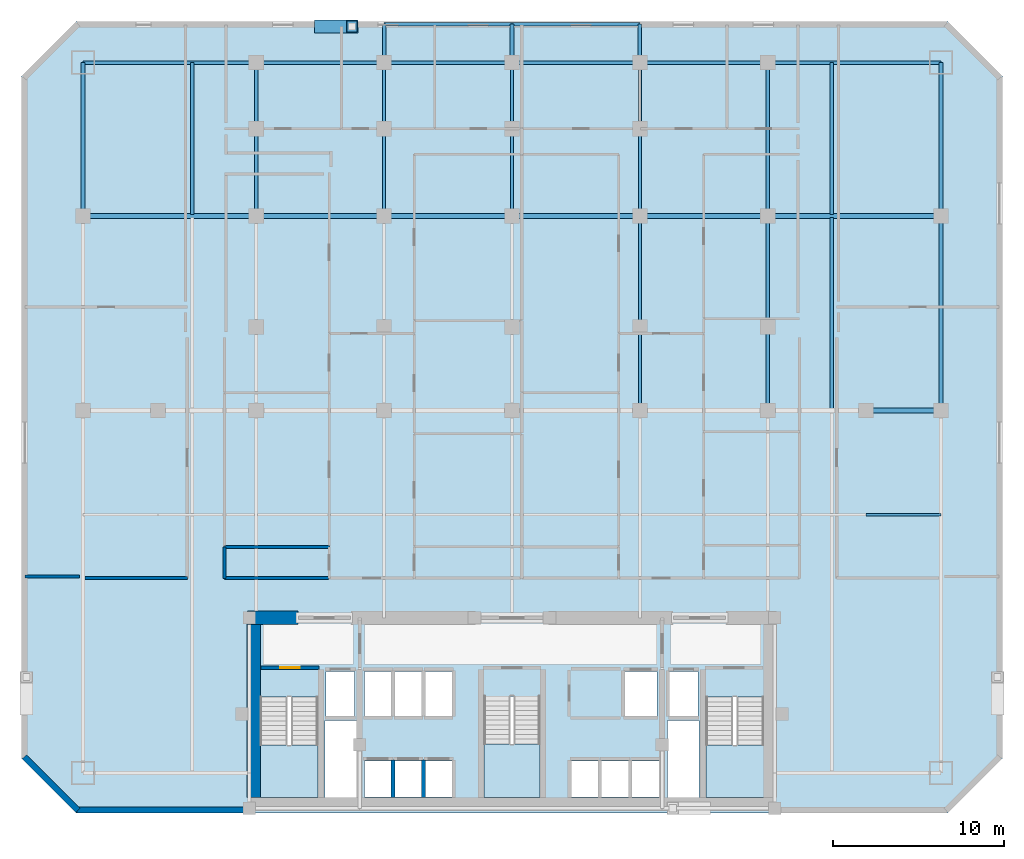
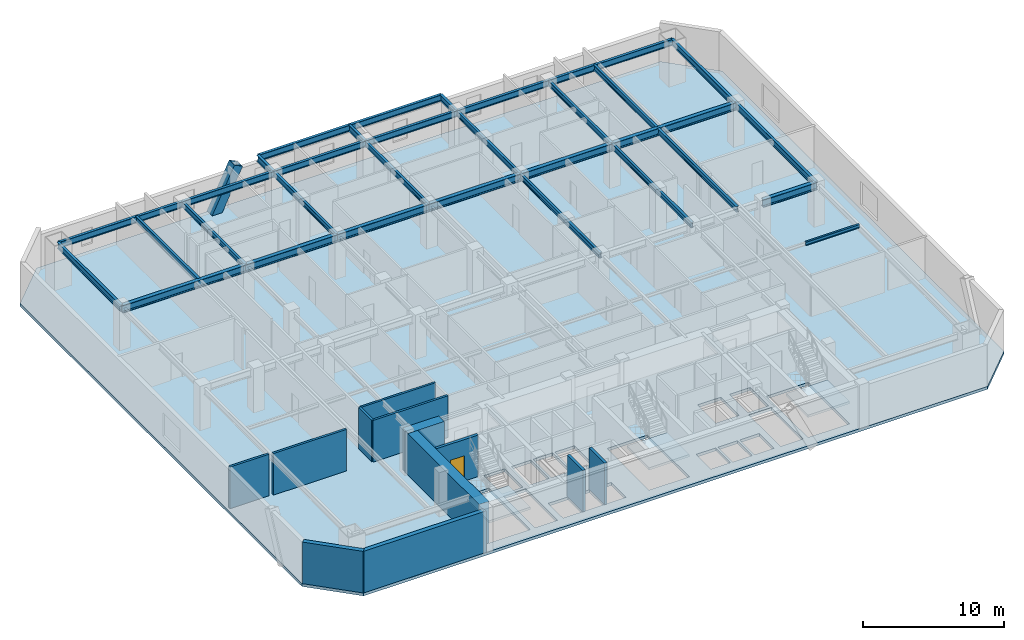
# One storey, part 2 of 8: 32 beams, 12 walls, 4 slabs, 1 door, 1 member, 1 opening, 3 elements without a shape of their own.
"""IFC4 building model written with IfcOpenShell, lengths in metres."""

from ifc_helpers import new_model, si_unit, direction, frame, frame_2d, origin, origin_2d, place, context, subcontext, project, spatial, polyline, rectangle, hollow_rectangle, i_section, outline, extrude, material, layer, layer_set, material_profile, profile_set, type_object, element, fill, aggregate, save


model = new_model("IFC4")

# Units and contexts
model_context = context("Model", 3, precision=1e-05, world=origin(), true_north=direction((0.0, 1.0)))
body_context = subcontext(model_context, "Body", "Model", "MODEL_VIEW")
ifc_project = project(units=[si_unit("LENGTHUNIT", "METRE"), si_unit("AREAUNIT", "SQUARE_METRE"), si_unit("VOLUMEUNIT", "CUBIC_METRE"), si_unit("PLANEANGLEUNIT", "RADIAN"), si_unit("MASSUNIT", "GRAM", prefix="KILO")], contexts=[model_context])

# Site, building, storey
site_placement = place(None, origin())
site = spatial("IfcSite", under=ifc_project, at=site_placement, CompositionType="ELEMENT")
building_placement = place(site_placement, origin())
building = spatial("IfcBuilding", under=site, at=building_placement, Name="Ventersveld Concourse Tower", CompositionType="ELEMENT")
storey_placement = place(building_placement, frame((0.0, 0.0, 37.5)))
storey = spatial("IfcBuildingStorey", under=building, at=storey_placement, Name="L08", CompositionType="ELEMENT", Elevation=37.5)

# Beams
ifc_material_1 = material(Name="Structural steel S355J2", Category="steel")
ifc_material_profile_1 = material_profile(ifc_material_1, i_section(OverallWidth=0.19140625, OverallDepth=0.4599609375, WebThickness=0.010009765625, FlangeThickness=0.01611328125, FilletRadius=0.01025390625, at=origin_2d()), Name="UB 457x191x82")
ifc_profile_set_1 = profile_set([ifc_material_profile_1], Name="Structural steel S355J2")
beam_type_1 = type_object("IfcBeamType", Name="BM-UB457H", PredefinedType="BEAM", material=ifc_profile_set_1)
beam_1_placement = place(storey_placement, frame((10.0, 35.094970703125, 3.3701171875), z_axis=(0.0, 1.0, 0.0), x_axis=(-1.0, 0.0, 0.0)))
element("IfcBeam", 1, at=beam_1_placement, inside=storey, type_object=beam_type_1, Name="L08 N-S Composite Floor Beam North X=10.00", PredefinedType="BEAM", context=body_context, shape_type="SweptSolid", body=[
    extrude(i_section(OverallWidth=0.19140625, OverallDepth=0.4599609375, WebThickness=0.010009765625, FlangeThickness=0.01611328125, FilletRadius=0.01025390625, at=origin_2d()), origin(), (0.0, 0.0, 1.0), 8.905029296875),
])
for number, where, z_axis, x_axis, name in (
    (2, (13.75, 35.0, 3.3701171875), (0.0, 1.0, 0.0), (-1.0, 0.0, 0.0), "L08 N-S Composite Floor Beam North X=13.75"),
    (3, (21.25, 35.0, 3.3701171875), (0.0, 1.0, 0.0), (-1.0, 0.0, 0.0), "L08 N-S Composite Floor Beam North X=21.25"),
    (4, (28.75, 35.0, 3.3701171875), (0.0, 1.0, 0.0), (-1.0, 0.0, 0.0), "L08 N-S Composite Floor Beam North X=28.75"),
):
    element("IfcBeam", number, at=place(storey_placement, frame(where, z_axis=z_axis, x_axis=x_axis)), inside=storey, type_object=beam_type_1, Name=name, PredefinedType="BEAM", context=body_context, shape_type="SweptSolid", body=[
        extrude(i_section(OverallWidth=0.19140625, OverallDepth=0.4599609375, WebThickness=0.010009765625, FlangeThickness=0.01611328125, FilletRadius=0.01025390625, at=origin_2d()), origin(), (0.0, 0.0, 1.0), 9.0),
    ])
beam_2_placement = place(storey_placement, frame((36.25, 23.60009765625, 3.3701171875), z_axis=(0.0, 1.0, 0.0), x_axis=(-1.0, 0.0, 0.0)))
element("IfcBeam", 5, at=beam_2_placement, inside=storey, type_object=beam_type_1, Name="L08 N-S Composite Floor Beam Mid X=36.25", PredefinedType="BEAM", context=body_context, shape_type="SweptSolid", body=[
    extrude(i_section(OverallWidth=0.19140625, OverallDepth=0.4599609375, WebThickness=0.010009765625, FlangeThickness=0.01611328125, FilletRadius=0.01025390625, at=origin_2d()), origin(), (0.0, 0.0, 1.0), 11.39990234375),
])
beam_3_placement = place(storey_placement, frame((36.25, 35.0, 3.3701171875), z_axis=(0.0, 1.0, 0.0), x_axis=(-1.0, 0.0, 0.0)))
element("IfcBeam", 6, at=beam_3_placement, inside=storey, type_object=beam_type_1, Name="L08 N-S Composite Floor Beam North X=36.25", PredefinedType="BEAM", context=body_context, shape_type="SweptSolid", body=[
    extrude(i_section(OverallWidth=0.19140625, OverallDepth=0.4599609375, WebThickness=0.010009765625, FlangeThickness=0.01611328125, FilletRadius=0.01025390625, at=origin_2d()), origin(), (0.0, 0.0, 1.0), 9.0),
])
beam_4_placement = place(storey_placement, frame((43.75, 23.60009765625, 3.3701171875), z_axis=(0.0, 1.0, 0.0), x_axis=(-1.0, 0.0, 0.0)))
element("IfcBeam", 7, at=beam_4_placement, inside=storey, type_object=beam_type_1, Name="L08 N-S Composite Floor Beam Mid X=43.75", PredefinedType="BEAM", context=body_context, shape_type="SweptSolid", body=[
    extrude(i_section(OverallWidth=0.19140625, OverallDepth=0.4599609375, WebThickness=0.010009765625, FlangeThickness=0.01611328125, FilletRadius=0.01025390625, at=origin_2d()), origin(), (0.0, 0.0, 1.0), 11.39990234375),
])
beam_5_placement = place(storey_placement, frame((43.75, 35.0, 3.3701171875), z_axis=(0.0, 1.0, 0.0), x_axis=(-1.0, 0.0, 0.0)))
element("IfcBeam", 8, at=beam_5_placement, inside=storey, type_object=beam_type_1, Name="L08 N-S Composite Floor Beam North X=43.75", PredefinedType="BEAM", context=body_context, shape_type="SweptSolid", body=[
    extrude(i_section(OverallWidth=0.19140625, OverallDepth=0.4599609375, WebThickness=0.010009765625, FlangeThickness=0.01611328125, FilletRadius=0.01025390625, at=origin_2d()), origin(), (0.0, 0.0, 1.0), 9.0),
])
beam_6_placement = place(storey_placement, frame((47.5, 23.695068359375, 3.3701171875), z_axis=(0.0, 1.0, 0.0), x_axis=(-1.0, 0.0, 0.0)))
element("IfcBeam", 9, at=beam_6_placement, inside=storey, type_object=beam_type_1, Name="L08 N-S Composite Floor Beam Mid X=47.50", PredefinedType="BEAM", context=body_context, shape_type="SweptSolid", body=[
    extrude(i_section(OverallWidth=0.19140625, OverallDepth=0.4599609375, WebThickness=0.010009765625, FlangeThickness=0.01611328125, FilletRadius=0.01025390625, at=origin_2d()), origin(), (0.0, 0.0, 1.0), 11.2099609375),
])
beam_7_placement = place(storey_placement, frame((47.5, 35.094970703125, 3.3701171875), z_axis=(0.0, 1.0, 0.0), x_axis=(-1.0, 0.0, 0.0)))
element("IfcBeam", 10, at=beam_7_placement, inside=storey, type_object=beam_type_1, Name="L08 N-S Composite Floor Beam North X=47.50", PredefinedType="BEAM", context=body_context, shape_type="SweptSolid", body=[
    extrude(i_section(OverallWidth=0.19140625, OverallDepth=0.4599609375, WebThickness=0.010009765625, FlangeThickness=0.01611328125, FilletRadius=0.01025390625, at=origin_2d()), origin(), (0.0, 0.0, 1.0), 8.905029296875),
])
ifc_material_profile_2 = material_profile(ifc_material_1, i_section(OverallWidth=0.311279296875, OverallDepth=0.6357421875, WebThickness=0.018310546875, FlangeThickness=0.031494140625, FilletRadius=0.0166015625, at=origin_2d()), Name="UB 610x305x238")
ifc_profile_set_2 = profile_set([ifc_material_profile_2], Name="Structural steel S355J2")
beam_type_2 = type_object("IfcBeamType", Name="GRD-UB610H", PredefinedType="USERDEFINED", material=ifc_profile_set_2)
beam_8_placement = place(storey_placement, frame((49.5, 23.60009765625, 3.281982421875), z_axis=(1.0, 0.0, 0.0), x_axis=(0.0, 1.0, 0.0)))
element("IfcBeam", 11, at=beam_8_placement, inside=storey, type_object=beam_type_2, Name="L08 Primary E-W Grid Girder Y=23.60 #8", ObjectType="GIRDER", PredefinedType="USERDEFINED", context=body_context, shape_type="SweptSolid", body=[
    extrude(i_section(OverallWidth=0.311279296875, OverallDepth=0.6357421875, WebThickness=0.018310546875, FlangeThickness=0.031494140625, FilletRadius=0.0166015625, at=origin_2d()), origin(), (0.0, 0.0, 1.0), 4.39990234375),
])
beam_9_placement = place(storey_placement, frame((3.60009765625, 35.0, 3.281982421875), z_axis=(1.0, 0.0, 0.0), x_axis=(0.0, 1.0, 0.0)))
element("IfcBeam", 12, at=beam_9_placement, inside=storey, type_object=beam_type_2, Name="L08 E-W Grid Girder Y=35.00 #1", ObjectType="GIRDER", PredefinedType="USERDEFINED", context=body_context, shape_type="SweptSolid", body=[
    extrude(i_section(OverallWidth=0.311279296875, OverallDepth=0.6357421875, WebThickness=0.018310546875, FlangeThickness=0.031494140625, FilletRadius=0.0166015625, at=origin_2d()), origin(), (0.0, 0.0, 1.0), 10.14990234375),
])
for number, where, z_axis, x_axis, name in (
    (13, (13.75, 35.0, 3.281982421875), (1.0, 0.0, 0.0), (0.0, 1.0, 0.0), "L08 E-W Grid Girder Y=35.00 #2"),
    (14, (21.25, 35.0, 3.281982421875), (1.0, 0.0, 0.0), (0.0, 1.0, 0.0), "L08 E-W Grid Girder Y=35.00 #3"),
    (15, (28.75, 35.0, 3.281982421875), (1.0, 0.0, 0.0), (0.0, 1.0, 0.0), "L08 E-W Grid Girder Y=35.00 #4"),
    (16, (36.25, 35.0, 3.281982421875), (1.0, 0.0, 0.0), (0.0, 1.0, 0.0), "L08 E-W Grid Girder Y=35.00 #5"),
):
    element("IfcBeam", number, at=place(storey_placement, frame(where, z_axis=z_axis, x_axis=x_axis)), inside=storey, type_object=beam_type_2, Name=name, ObjectType="GIRDER", PredefinedType="USERDEFINED", context=body_context, shape_type="SweptSolid", body=[
        extrude(i_section(OverallWidth=0.311279296875, OverallDepth=0.6357421875, WebThickness=0.018310546875, FlangeThickness=0.031494140625, FilletRadius=0.0166015625, at=origin_2d()), origin(), (0.0, 0.0, 1.0), 7.5),
    ])
beam_10_placement = place(storey_placement, frame((43.75, 35.0, 3.281982421875), z_axis=(1.0, 0.0, 0.0), x_axis=(0.0, 1.0, 0.0)))
element("IfcBeam", 17, at=beam_10_placement, inside=storey, type_object=beam_type_2, Name="L08 E-W Grid Girder Y=35.00 #6", ObjectType="GIRDER", PredefinedType="USERDEFINED", context=body_context, shape_type="SweptSolid", body=[
    extrude(i_section(OverallWidth=0.311279296875, OverallDepth=0.6357421875, WebThickness=0.018310546875, FlangeThickness=0.031494140625, FilletRadius=0.0166015625, at=origin_2d()), origin(), (0.0, 0.0, 1.0), 10.14990234375),
])
ifc_material_profile_3 = material_profile(ifc_material_1, i_section(OverallWidth=0.14990234375, OverallDepth=0.300048828125, WebThickness=0.007080078125, FlangeThickness=0.0107421875, FilletRadius=0.014892578125, at=origin_2d()), Name="IPE 300")
ifc_profile_set_3 = profile_set([ifc_material_profile_3], Name="Structural steel S355J2")
beam_type_3 = type_object("IfcBeamType", Name="JST-IPE300", PredefinedType="JOIST", material=ifc_profile_set_3)
beam_11_placement = place(storey_placement, frame((49.5, 17.5, 3.449951171875), z_axis=(1.0, 0.0, 0.0), x_axis=(0.0, 1.0, 0.0)))
element("IfcBeam", 18, at=beam_11_placement, inside=storey, type_object=beam_type_3, Name="L08 Secondary E-W Floor Joist Y=17.50 #8", PredefinedType="JOIST", context=body_context, shape_type="SweptSolid", body=[
    extrude(i_section(OverallWidth=0.14990234375, OverallDepth=0.300048828125, WebThickness=0.007080078125, FlangeThickness=0.0107421875, FilletRadius=0.014892578125, at=origin_2d()), origin(), (0.0, 0.0, 1.0), 4.39990234375),
])

# Member
ifc_material_2 = material(Name="Structural steel S355ML", Category="steel")
ifc_material_profile_4 = material_profile(ifc_material_2, hollow_rectangle(XDim=0.75, YDim=0.75, WallThickness=0.044921875, at=origin_2d()), Name="BOX 750x750x45")
ifc_profile_set_4 = profile_set([ifc_material_profile_4], Name="Structural steel S355ML")
member_type = type_object("IfcMemberType", Name="MB-750x750", PredefinedType="BRACE", material=ifc_profile_set_4)
member_placement = place(storey_placement, frame((17.5, 46.1201171875, -0.25), z_axis=(0.437839464193, 0.0, 0.899053170616), x_axis=(0.0, 1.0, 0.0)))
element("IfcMember", 19, at=member_placement, inside=storey, type_object=member_type, Name="L08 Exterior Mega-Brace N (Module M01)", PredefinedType="BRACE", context=body_context, shape_type="SweptSolid", body=[
    extrude(hollow_rectangle(XDim=0.75, YDim=0.75, WallThickness=0.044921875, at=origin_2d()), origin(), (0.0, 0.0, 1.0), 4.282470703125),
])

# Beams
ifc_material_profile_5 = material_profile(ifc_material_1, i_section(OverallWidth=0.2119140625, OverallDepth=0.54443359375, WebThickness=0.0126953125, FlangeThickness=0.021240234375, FilletRadius=0.0126953125, at=origin_2d()), Name="UB 533x210x122")
ifc_profile_set_5 = profile_set([ifc_material_profile_5], Name="Structural steel S355J2")
beam_type_4 = type_object("IfcBeamType", Name="SPD-UB533", PredefinedType="SPANDREL", material=ifc_profile_set_5)
beam_12_placement = place(storey_placement, frame((3.60009765625, 35.0, 3.327880859375), z_axis=(0.0, 1.0, 0.0), x_axis=(-1.0, 0.0, 0.0)))
element("IfcBeam", 20, at=beam_12_placement, inside=storey, type_object=beam_type_4, Name="L08 West Spandrel Beam N", PredefinedType="SPANDREL", context=body_context, shape_type="SweptSolid", body=[
    extrude(i_section(OverallWidth=0.2119140625, OverallDepth=0.54443359375, WebThickness=0.0126953125, FlangeThickness=0.021240234375, FilletRadius=0.0126953125, at=origin_2d()), origin(), (0.0, 0.0, 1.0), 9.0),
])
beam_13_placement = place(storey_placement, frame((53.89990234375, 23.60009765625, 3.327880859375), z_axis=(0.0, 1.0, 0.0), x_axis=(-1.0, 0.0, 0.0)))
element("IfcBeam", 21, at=beam_13_placement, inside=storey, type_object=beam_type_4, Name="L08 East Spandrel Beam M", PredefinedType="SPANDREL", context=body_context, shape_type="SweptSolid", body=[
    extrude(i_section(OverallWidth=0.2119140625, OverallDepth=0.54443359375, WebThickness=0.0126953125, FlangeThickness=0.021240234375, FilletRadius=0.0126953125, at=origin_2d()), origin(), (0.0, 0.0, 1.0), 11.39990234375),
])
beam_14_placement = place(storey_placement, frame((53.89990234375, 35.0, 3.327880859375), z_axis=(0.0, 1.0, 0.0), x_axis=(-1.0, 0.0, 0.0)))
element("IfcBeam", 22, at=beam_14_placement, inside=storey, type_object=beam_type_4, Name="L08 East Spandrel Beam N", PredefinedType="SPANDREL", context=body_context, shape_type="SweptSolid", body=[
    extrude(i_section(OverallWidth=0.2119140625, OverallDepth=0.54443359375, WebThickness=0.0126953125, FlangeThickness=0.021240234375, FilletRadius=0.0126953125, at=origin_2d()), origin(), (0.0, 0.0, 1.0), 9.0),
])
for number, where, z_axis, x_axis, name in (
    (23, (21.25, 44.0, 3.327880859375), (0.0, 1.0, 0.0), (-1.0, 0.0, 0.0), "L08 Terrace Bracket W"),
    (24, (28.75, 44.0, 3.327880859375), (0.0, 1.0, 0.0), (-1.0, 0.0, 0.0), "L08 Terrace Bracket C"),
    (25, (36.25, 44.0, 3.327880859375), (0.0, 1.0, 0.0), (-1.0, 0.0, 0.0), "L08 Terrace Bracket E"),
):
    element("IfcBeam", number, at=place(storey_placement, frame(where, z_axis=z_axis, x_axis=x_axis)), inside=storey, type_object=beam_type_4, Name=name, PredefinedType="SPANDREL", context=body_context, shape_type="SweptSolid", body=[
        extrude(i_section(OverallWidth=0.2119140625, OverallDepth=0.54443359375, WebThickness=0.0126953125, FlangeThickness=0.021240234375, FilletRadius=0.0126953125, at=origin_2d()), origin(), (0.0, 0.0, 1.0), 2.25),
    ])
for number, where, z_axis, x_axis, name in (
    (26, (21.25, 46.25, 3.327880859375), (1.0, 0.0, 0.0), (0.0, 1.0, 0.0), "L08 Terrace Edge Spandrel W"),
    (27, (28.75, 46.25, 3.327880859375), (1.0, 0.0, 0.0), (0.0, 1.0, 0.0), "L08 Terrace Edge Spandrel E"),
):
    element("IfcBeam", number, at=place(storey_placement, frame(where, z_axis=z_axis, x_axis=x_axis)), inside=storey, type_object=beam_type_4, Name=name, PredefinedType="SPANDREL", context=body_context, shape_type="SweptSolid", body=[
        extrude(i_section(OverallWidth=0.2119140625, OverallDepth=0.54443359375, WebThickness=0.0126953125, FlangeThickness=0.021240234375, FilletRadius=0.0126953125, at=origin_2d()), origin(), (0.0, 0.0, 1.0), 7.5),
    ])
beam_15_placement = place(storey_placement, frame((3.60009765625, 44.0, 3.327880859375), z_axis=(1.0, 0.0, 0.0), x_axis=(0.0, 1.0, 0.0)))
element("IfcBeam", 28, at=beam_15_placement, inside=storey, type_object=beam_type_4, Name="L08 North Spandrel Girder Y=44.00 #1", PredefinedType="SPANDREL", context=body_context, shape_type="SweptSolid", body=[
    extrude(i_section(OverallWidth=0.2119140625, OverallDepth=0.54443359375, WebThickness=0.0126953125, FlangeThickness=0.021240234375, FilletRadius=0.0126953125, at=origin_2d()), origin(), (0.0, 0.0, 1.0), 10.14990234375),
])
for number, where, z_axis, x_axis, name in (
    (29, (13.75, 44.0, 3.327880859375), (1.0, 0.0, 0.0), (0.0, 1.0, 0.0), "L08 North Spandrel Girder Y=44.00 #2"),
    (30, (21.25, 44.0, 3.327880859375), (1.0, 0.0, 0.0), (0.0, 1.0, 0.0), "L08 North Spandrel Girder Y=44.00 #3"),
    (31, (28.75, 44.0, 3.327880859375), (1.0, 0.0, 0.0), (0.0, 1.0, 0.0), "L08 North Spandrel Girder Y=44.00 #4"),
    (32, (36.25, 44.0, 3.327880859375), (1.0, 0.0, 0.0), (0.0, 1.0, 0.0), "L08 North Spandrel Girder Y=44.00 #5"),
):
    element("IfcBeam", number, at=place(storey_placement, frame(where, z_axis=z_axis, x_axis=x_axis)), inside=storey, type_object=beam_type_4, Name=name, PredefinedType="SPANDREL", context=body_context, shape_type="SweptSolid", body=[
        extrude(i_section(OverallWidth=0.2119140625, OverallDepth=0.54443359375, WebThickness=0.0126953125, FlangeThickness=0.021240234375, FilletRadius=0.0126953125, at=origin_2d()), origin(), (0.0, 0.0, 1.0), 7.5),
    ])
beam_16_placement = place(storey_placement, frame((43.75, 44.0, 3.327880859375), z_axis=(1.0, 0.0, 0.0), x_axis=(0.0, 1.0, 0.0)))
element("IfcBeam", 33, at=beam_16_placement, inside=storey, type_object=beam_type_4, Name="L08 North Spandrel Girder Y=44.00 #6", PredefinedType="SPANDREL", context=body_context, shape_type="SweptSolid", body=[
    extrude(i_section(OverallWidth=0.2119140625, OverallDepth=0.54443359375, WebThickness=0.0126953125, FlangeThickness=0.021240234375, FilletRadius=0.0126953125, at=origin_2d()), origin(), (0.0, 0.0, 1.0), 10.14990234375),
])

# Slab
ifc_material_3 = material(Name="Concrete C50/60", Category="concrete")
ifc_layer_1 = layer(ifc_material_3, 0.25)
ifc_layer_set_1 = layer_set([ifc_layer_1], Name="Concrete C50/60")
slab_type_1 = type_object("IfcSlabType", Name="SL-FLR-250", PredefinedType="FLOOR", material=ifc_layer_set_1)
slab_1_placement = place(storey_placement, frame((0.0, 0.0, -0.25)))
element("IfcSlab", 34, at=slab_1_placement, inside=storey, type_object=slab_type_1, Name="L08 Composite Floor Slab", PredefinedType="FLOOR", context=body_context, shape_type="SweptSolid", body=[
    extrude(outline(polyline([(3.199951171875, 0.0), (54.300048828125, 0.0), (57.5, 3.199951171875), (57.5, 43.199951171875), (54.300048828125, 46.39990234375), (3.199951171875, 46.39990234375), (0.0, 43.199951171875), (0.0, 3.199951171875), (3.199951171875, 0.0)]), holes=[polyline([(13.97998046875, 6.794921875), (13.97998046875, 0.89990234375), (17.3798828125, 0.89990234375), (17.3798828125, 6.794921875), (13.97998046875, 6.794921875)]), polyline([(40.1201171875, 6.794921875), (40.1201171875, 0.89990234375), (43.52001953125, 0.89990234375), (43.52001953125, 6.794921875), (40.1201171875, 6.794921875)]), polyline([(27.10009765625, 6.844970703125), (27.10009765625, 0.89990234375), (30.39990234375, 0.89990234375), (30.39990234375, 6.844970703125), (27.10009765625, 6.844970703125)]), polyline([(17.85009765625, 5.699951171875), (19.530029296875, 5.699951171875), (19.530029296875, 8.300048828125), (17.85009765625, 8.300048828125), (17.85009765625, 5.699951171875)]), polyline([(37.969970703125, 5.699951171875), (39.64990234375, 5.699951171875), (39.64990234375, 8.300048828125), (37.969970703125, 8.300048828125), (37.969970703125, 5.699951171875)]), polyline([(35.35009765625, 5.699951171875), (37.25, 5.699951171875), (37.25, 8.300048828125), (35.35009765625, 8.300048828125), (35.35009765625, 5.699951171875)]), polyline([(20.090087890625, 0.949951171875), (21.68994140625, 0.949951171875), (21.68994140625, 3.050048828125), (20.090087890625, 3.050048828125), (20.090087890625, 0.949951171875)]), polyline([(21.8701171875, 0.949951171875), (23.469970703125, 0.949951171875), (23.469970703125, 3.050048828125), (21.8701171875, 3.050048828125), (21.8701171875, 0.949951171875)]), polyline([(23.64990234375, 0.949951171875), (25.25, 0.949951171875), (25.25, 3.050048828125), (23.64990234375, 3.050048828125), (23.64990234375, 0.949951171875)]), polyline([(32.2099609375, 0.949951171875), (33.81005859375, 0.949951171875), (33.81005859375, 3.050048828125), (32.2099609375, 3.050048828125), (32.2099609375, 0.949951171875)]), polyline([(33.989990234375, 0.949951171875), (35.590087890625, 0.949951171875), (35.590087890625, 3.050048828125), (33.989990234375, 3.050048828125), (33.989990234375, 0.949951171875)]), polyline([(35.77001953125, 0.949951171875), (37.3701171875, 0.949951171875), (37.3701171875, 3.050048828125), (35.77001953125, 3.050048828125), (35.77001953125, 0.949951171875)]), polyline([(20.090087890625, 5.699951171875), (21.68994140625, 5.699951171875), (21.68994140625, 8.300048828125), (20.090087890625, 8.300048828125), (20.090087890625, 5.699951171875)]), polyline([(21.8701171875, 5.699951171875), (23.469970703125, 5.699951171875), (23.469970703125, 8.300048828125), (21.8701171875, 8.300048828125), (21.8701171875, 5.699951171875)]), polyline([(23.64990234375, 5.699951171875), (25.25, 5.699951171875), (25.25, 8.300048828125), (23.64990234375, 8.300048828125), (23.64990234375, 5.699951171875)]), polyline([(17.780029296875, 0.919921875), (19.6201171875, 0.919921875), (19.6201171875, 5.419921875), (17.780029296875, 5.419921875), (17.780029296875, 0.919921875)]), polyline([(37.8798828125, 0.919921875), (39.719970703125, 0.919921875), (39.719970703125, 5.419921875), (37.8798828125, 5.419921875), (37.8798828125, 0.919921875)])]), origin(), (0.0, 0.0, 1.0), 0.25),
])

# Stair, slab
stair_type_1 = type_object("IfcStairType", Name="ST-DOG-160", PredefinedType="HALF_TURN_STAIR", material=ifc_material_3)
stair_1_placement = place(storey_placement, origin())
stair_1 = element("IfcStair", 35, at=stair_1_placement, inside=storey, type_object=stair_type_1, Name="L08 Protected Tower Escape Stair ST-01", PredefinedType="HALF_TURN_STAIR")
ifc_layer_2 = layer(ifc_material_3, 0.199951171875)
ifc_layer_set_2 = layer_set([ifc_layer_2], Name="Concrete C50/60")
slab_type_2 = type_object("IfcSlabType", Name="SL-LND-200", PredefinedType="LANDING", material=ifc_layer_set_2)
slab_2_placement = place(storey_placement, frame((0.0, 0.0, 1.72509765625)))
slab_2 = element("IfcSlab", 36, at=slab_2_placement, type_object=slab_type_2, Name="ST-01 landing 1", PredefinedType="LANDING", context=body_context, shape_type="SweptSolid", body=[
    extrude(outline(polyline([(13.97998046875, 4.0), (13.97998046875, 0.89990234375), (17.3798828125, 0.89990234375), (17.3798828125, 4.0), (13.97998046875, 4.0)])), origin(), (0.0, 0.0, 1.0), 0.199951171875),
])
aggregate(stair_1, [slab_2])

stair_2_placement = place(storey_placement, origin())
stair_2 = element("IfcStair", 37, at=stair_2_placement, inside=storey, type_object=stair_type_1, Name="L08 Protected Tower Escape Stair ST-02", PredefinedType="HALF_TURN_STAIR")
slab_3_placement = place(storey_placement, frame((0.0, 0.0, 1.72509765625)))
slab_3 = element("IfcSlab", 38, at=slab_3_placement, type_object=slab_type_2, Name="ST-02 landing 1", PredefinedType="LANDING", context=body_context, shape_type="SweptSolid", body=[
    extrude(outline(polyline([(40.1201171875, 4.0), (40.1201171875, 0.89990234375), (43.52001953125, 0.89990234375), (43.52001953125, 4.0), (40.1201171875, 4.0)])), origin(), (0.0, 0.0, 1.0), 0.199951171875),
])
aggregate(stair_2, [slab_3])

stair_type_2 = type_object("IfcStairType", Name="ST-DOG-155", PredefinedType="HALF_TURN_STAIR", material=ifc_material_3)
stair_3_placement = place(storey_placement, origin())
stair_3 = element("IfcStair", 39, at=stair_3_placement, inside=storey, type_object=stair_type_2, Name="L08 Protected Central Core Escape Stair ST-03", PredefinedType="HALF_TURN_STAIR")
slab_4_placement = place(storey_placement, frame((0.0, 0.0, 1.72509765625)))
slab_4 = element("IfcSlab", 40, at=slab_4_placement, type_object=slab_type_2, Name="ST-03 landing 1", PredefinedType="LANDING", context=body_context, shape_type="SweptSolid", body=[
    extrude(outline(polyline([(27.10009765625, 4.050048828125), (27.10009765625, 0.89990234375), (30.39990234375, 0.89990234375), (30.39990234375, 4.050048828125), (27.10009765625, 4.050048828125)])), origin(), (0.0, 0.0, 1.0), 0.199951171875),
])
aggregate(stair_3, [slab_4])

# Walls
ifc_material_4 = material(Name="Concrete C60/75", Category="concrete")
ifc_layer_3 = layer(ifc_material_4, 0.800048828125)
ifc_layer_set_3 = layer_set([ifc_layer_3], Name="Concrete C60/75")
wall_type_1 = type_object("IfcWallType", Name="WL-CORE-800", PredefinedType="SHEAR", material=ifc_layer_set_3)
wall_1_placement = place(storey_placement, frame((13.60009765625, 0.919921875, 0.0), z_axis=(0.0, 0.0, 1.0), x_axis=(0.0, 1.0, 0.0)))
element("IfcWall", 41, at=wall_1_placement, inside=storey, type_object=wall_type_1, Name="L08 Rear Core West Shear Wall", PredefinedType="SHEAR", context=body_context, shape_type="SweptSolid", body=[
    extrude(rectangle(XDim=10.530029296875, YDim=0.800048828125, at=frame_2d((5.26513671875, 0.0))), origin(), (0.0, 0.0, 1.0), 3.60009765625),
])
wall_2_placement = place(storey_placement, frame((13.25, 11.449951171875, 0.0), z_axis=(0.0, 0.0, 1.0), x_axis=(1.0, 0.0, 0.0)))
element("IfcWall", 42, at=wall_2_placement, inside=storey, type_object=wall_type_1, Name="L08 Rear Core North Shear Wall NW", PredefinedType="SHEAR", context=body_context, shape_type="SweptSolid", body=[
    extrude(rectangle(XDim=2.949951171875, YDim=0.800048828125, at=frame_2d((1.47509765625, 0.0))), origin(), (0.0, 0.0, 1.0), 3.60009765625),
])
ifc_material_5 = material(Name="Fire-rated autoclaved aerated masonry blockwork", Category="masonry")
ifc_layer_4 = layer(ifc_material_5, 0.179931640625)
ifc_layer_set_4 = layer_set([ifc_layer_4], Name="Fire-rated autoclaved aerated masonry blockwork")
wall_type_2 = type_object("IfcWallType", Name="WL-CORR-180", PredefinedType="PARTITIONING", material=ifc_layer_set_4)
wall_3_placement = place(storey_placement, frame((3.705078125, 13.77001953125, 0.0), z_axis=(0.0, 0.0, 1.0), x_axis=(1.0, 0.0, 0.0)))
element("IfcWall", 43, at=wall_3_placement, inside=storey, type_object=wall_type_2, Name="L08 Interior Partition SP-L08-COR-SP-L08-NWLNG1", PredefinedType="PARTITIONING", context=body_context, shape_type="SweptSolid", body=[
    extrude(rectangle(XDim=6.010009765625, YDim=0.179931640625, at=frame_2d((3.0048828125, 0.0))), origin(), (0.0, 0.0, 1.0), 3.60009765625),
])
wall_4_placement = place(storey_placement, frame((11.885009765625, 13.77001953125, 0.0), z_axis=(0.0, 0.0, 1.0), x_axis=(1.0, 0.0, 0.0)))
element("IfcWall", 44, at=wall_4_placement, inside=storey, type_object=wall_type_2, Name="L08 Interior Partition SP-L08-COR-SP-L08-08N1-BATH", PredefinedType="PARTITIONING", context=body_context, shape_type="SweptSolid", body=[
    extrude(rectangle(XDim=6.120361328125, YDim=0.179931640625, at=frame_2d((3.06005859375, 0.0))), origin(), (0.0, 0.0, 1.0), 3.60009765625),
])
wall_5_placement = place(storey_placement, frame((11.889892578125, 13.764892578125, 0.0), z_axis=(0.0, 0.0, 1.0), x_axis=(0.0, 1.0, 0.0)))
element("IfcWall", 45, at=wall_5_placement, inside=storey, type_object=wall_type_2, Name="L08 Interior Partition SP-L08-COR-SP-L08-08N1-BATH", PredefinedType="PARTITIONING", context=body_context, shape_type="SweptSolid", body=[
    extrude(rectangle(XDim=1.840087890625, YDim=0.179931640625, at=frame_2d((0.919921875, 0.0))), origin(), (0.0, 0.0, 1.0), 3.60009765625),
])
wall_6_placement = place(storey_placement, frame((3.39013671875, 13.860107421875, 0.0), z_axis=(0.0, 0.0, 1.0), x_axis=(-1.0, 0.0, 0.0)))
element("IfcWall", 46, at=wall_6_placement, inside=storey, type_object=wall_type_2, Name="L08 Room Enclosure Wall SP-L08-NWLNG1", PredefinedType="PARTITIONING", context=body_context, shape_type="SweptSolid", body=[
    extrude(rectangle(XDim=3.18017578125, YDim=0.179931640625, at=frame_2d((1.590087890625, 0.0))), origin(), (0.0, 0.0, 1.0), 3.60009765625),
])
ifc_layer_5 = layer(ifc_material_5, 0.219970703125)
ifc_layer_set_5 = layer_set([ifc_layer_5], Name="Fire-rated autoclaved aerated masonry blockwork")
wall_type_3 = type_object("IfcWallType", Name="WL-HOIST-220", PredefinedType="SOLIDWALL", material=ifc_layer_set_5)
for number, where, z_axis, x_axis, name in (
    (47, (21.780029296875, 0.89990234375, 0.0), (0.0, 0.0, 1.0), (0.0, 1.0, 0.0), "L08 Lift Hoistway Side Wall PL-01E"),
    (48, (23.56005859375, 0.89990234375, 0.0), (0.0, 0.0, 1.0), (0.0, 1.0, 0.0), "L08 Lift Hoistway Side Wall PL-02E"),
):
    element("IfcWall", number, at=place(storey_placement, frame(where, z_axis=z_axis, x_axis=x_axis)), inside=storey, type_object=wall_type_3, Name=name, PredefinedType="SOLIDWALL", context=body_context, shape_type="SweptSolid", body=[
        extrude(rectangle(XDim=2.2001953125, YDim=0.219970703125, at=frame_2d((1.10009765625, 0.0))), origin(), (0.0, 0.0, 1.0), 3.60009765625),
    ])

# Wall, opening, door
wall_7_placement = place(storey_placement, frame((14.0400390625, 8.52001953125, 0.0), z_axis=(0.0, 0.0, 1.0), x_axis=(1.0, 0.0, 0.0)))
wall_7 = element("IfcWall", 49, at=wall_7_placement, inside=storey, type_object=wall_type_3, Name="L08 Escape Stair ST01 Fire Wall", PredefinedType="SOLIDWALL", context=body_context, shape_type="SweptSolid", body=[
    extrude(rectangle(XDim=3.39990234375, YDim=0.219970703125, at=frame_2d((1.699951171875, 0.0))), origin(), (0.0, 0.0, 1.0), 3.60009765625),
])
opening_placement = place(wall_7_placement, frame((1.125, 0.0, 0.0)))
opening = element("IfcOpeningElement", 50, at=opening_placement, cuts=wall_7, Name="Opening FD1", PredefinedType="OPENING", context=body_context, shape_type="SweptSolid", body=[
    extrude(rectangle(XDim=1.14990234375, YDim=2.199951171875, at=frame_2d((0.574951171875, 1.10009765625))), frame((0.0, 0.1201171875, 0.0), z_axis=(0.0, -1.0, 0.0), x_axis=(1.0, 0.0, 0.0)), (0.0, 0.0, 1.0), 0.239990234375),
])
ifc_material_6 = material(Name="Galvanised painted steel", Category="steel")
door_type = type_object("IfcDoorType", Name="DR-STAIR-115", OperationType="NOTDEFINED", PredefinedType="DOOR", material=ifc_material_6)
door_placement = place(opening_placement, origin())
door = element("IfcDoor", 51, at=door_placement, inside=storey, type_object=door_type, Name="L08 Escape Stair Door ST01 (SD-L08-0256)", OperationType="SINGLE_SWING_LEFT", OverallHeight=2.199951171875, OverallWidth=1.14990234375, PredefinedType="DOOR", context=body_context, shape_type="SweptSolid", body=[
    extrude(rectangle(XDim=1.14990234375, YDim=2.199951171875, at=frame_2d((0.574951171875, 1.10009765625))), frame((0.0, 0.02490234375, 0.0), z_axis=(0.0, -1.0, 0.0), x_axis=(1.0, 0.0, 0.0)), (0.0, 0.0, 1.0), 0.050048828125),
])
fill(opening, door)

# Walls
ifc_material_7 = material(Name="Precast concrete C45/55", Category="concrete")
ifc_layer_6 = layer(ifc_material_7, 0.35009765625)
ifc_layer_set_6 = layer_set([ifc_layer_6], Name="Precast concrete C45/55")
wall_type_4 = type_object("IfcWallType", Name="WL-PREC-350", PredefinedType="SOLIDWALL", material=ifc_layer_set_6)
wall_8_placement = place(storey_placement, frame((3.239990234375, 0.179931640625, 0.0), z_axis=(0.0, 0.0, 1.0), x_axis=(1.0, 0.0, 0.0)))
element("IfcWall", 52, at=wall_8_placement, inside=storey, type_object=wall_type_4, Name="L08 South-West Flank Precast Wall", PredefinedType="SOLIDWALL", context=body_context, shape_type="SweptSolid", body=[
    extrude(rectangle(XDim=10.010009765625, YDim=0.35009765625, at=frame_2d((5.0048828125, 0.0))), origin(), (0.0, 0.0, 1.0), 3.60009765625),
])
wall_9_placement = place(storey_placement, frame((0.152099609375, 3.29541015625, 0.0), z_axis=(0.0, 0.0, 1.0), x_axis=(0.707106781187, -0.707106781187, 0.0)))
element("IfcWall", 53, at=wall_9_placement, inside=storey, type_object=wall_type_4, Name="L08 Highveld Precast Facade Wall E08", PredefinedType="SOLIDWALL", context=body_context, shape_type="SweptSolid", body=[
    extrude(rectangle(XDim=4.4453125, YDim=0.35009765625, at=frame_2d((2.22265625, 0.0))), origin(), (0.0, 0.0, 1.0), 3.60009765625),
])
ifc_material_8 = material(Name="Autoclaved aerated masonry blockwork", Category="masonry")
ifc_layer_7 = layer(ifc_material_8, 0.1650390625)
ifc_layer_set_7 = layer_set([ifc_layer_7], Name="Autoclaved aerated masonry blockwork")
wall_type_5 = type_object("IfcWallType", Name="WL-WET-165", PredefinedType="PLUMBINGWALL", material=ifc_layer_set_7)
wall_10_placement = place(storey_placement, frame((11.885009765625, 15.60009765625, 0.0), z_axis=(0.0, 0.0, 1.0), x_axis=(1.0, 0.0, 0.0)))
element("IfcWall", 54, at=wall_10_placement, inside=storey, type_object=wall_type_5, Name="L08 Interior Partition SP-L08-08N1-BATH-SP-L08-08N1-DENL", PredefinedType="PLUMBINGWALL", context=body_context, shape_type="SweptSolid", body=[
    extrude(rectangle(XDim=6.160400390625, YDim=0.1650390625, at=frame_2d((3.080078125, 0.0))), origin(), (0.0, 0.0, 1.0), 3.60009765625),
])

save(model, "model.ifc")
